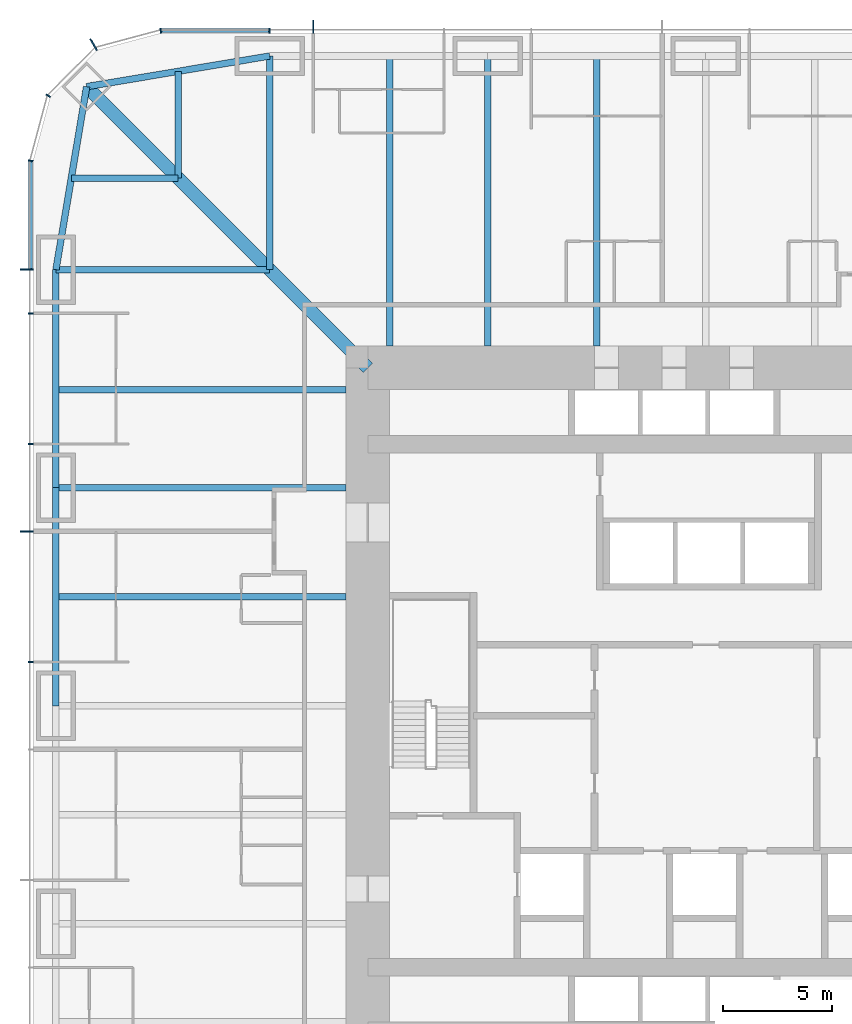
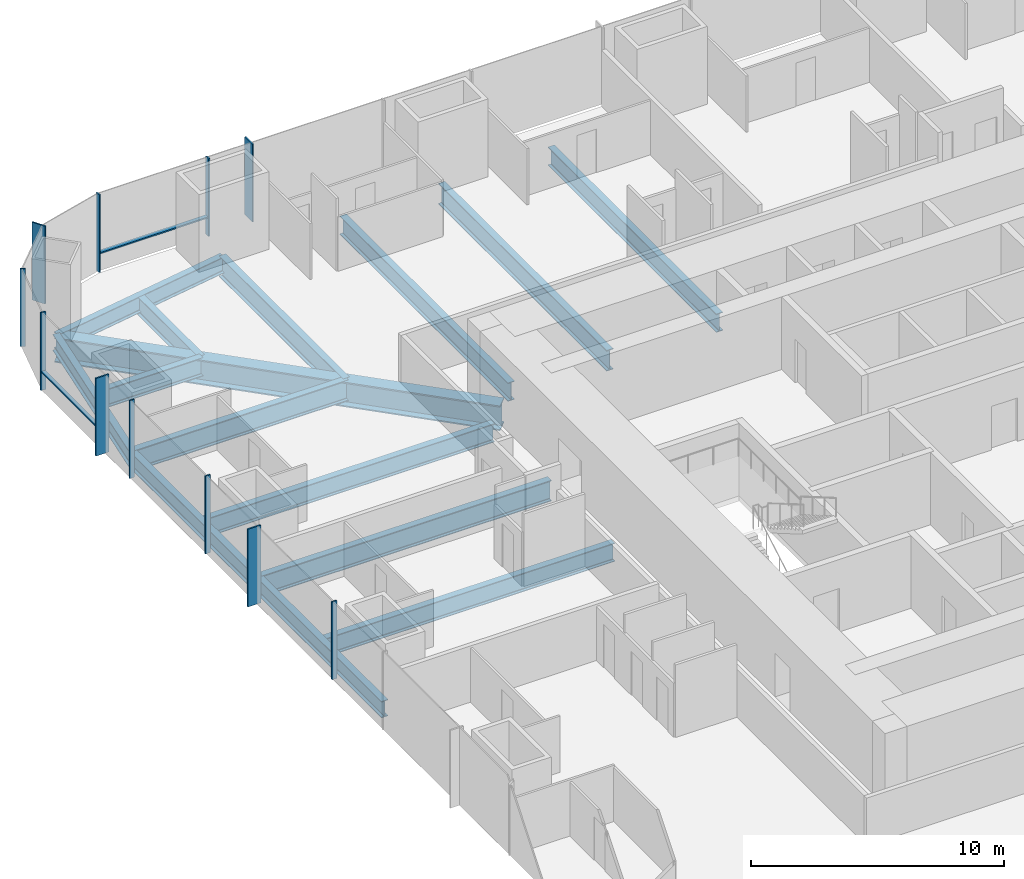
# One storey, part 6 of 17: 15 beams, 13 members, 3 elements without a shape of their own.
"""IFC4 building model written with IfcOpenShell, lengths in metres."""

from ifc_helpers import new_model, si_unit, direction, frame, origin, origin_2d, place, context, subcontext, project, spatial, rectangle, i_section, extrude, material, material_profile, profile_set, type_object, element, aggregate, save


model = new_model("IFC4")

# Units and contexts
model_context = context("Model", 3, precision=1e-05, world=origin(), true_north=direction((0.0, 1.0)))
body_context = subcontext(model_context, "Body", "Model", "MODEL_VIEW")
ifc_project = project(units=[si_unit("LENGTHUNIT", "METRE"), si_unit("AREAUNIT", "SQUARE_METRE"), si_unit("VOLUMEUNIT", "CUBIC_METRE"), si_unit("PLANEANGLEUNIT", "RADIAN"), si_unit("MASSUNIT", "GRAM", prefix="KILO")], contexts=[model_context])

# Site, building, storey
site_placement = place(None, origin())
site = spatial("IfcSite", under=ifc_project, at=site_placement, CompositionType="ELEMENT")
building_placement = place(site_placement, origin())
building = spatial("IfcBuilding", under=site, at=building_placement, Name="Khuree Lantern Residences", CompositionType="ELEMENT")
storey_placement = place(building_placement, frame((0.0, 0.0, 88.5)))
storey = spatial("IfcBuildingStorey", under=building, at=storey_placement, Name="L22", CompositionType="ELEMENT", Elevation=88.5)

# Beams
ifc_material_1 = material(Name="Steel S355", Category="steel")
ifc_material_profile_1 = material_profile(ifc_material_1, i_section(OverallWidth=0.300048828125, OverallDepth=0.889892578125, WebThickness=0.01611328125, FlangeThickness=0.030029296875, FilletRadius=0.030029296875, at=origin_2d()), Name="HE 900 A")
ifc_profile_set_1 = profile_set([ifc_material_profile_1], Name="Steel S355")
beam_type_1 = type_object("IfcBeamType", Name="B-15 SECONDARY BEAM HE 900 A", PredefinedType="BEAM", material=ifc_profile_set_1)
for number, where, z_axis, x_axis, name in (
    (1, (-14.5, 29.800048828125, -0.695068359375), (0.0, -1.0, 0.0), (1.0, 0.0, 0.0), "Secondary beam N1"),
    (2, (-5.0, 29.800048828125, -0.695068359375), (0.0, -1.0, 0.0), (1.0, 0.0, 0.0), "Secondary beam N2"),
    (3, (-29.800048828125, 5.0, -0.695068359375), (1.0, 0.0, 0.0), (0.0, 1.0, 0.0), "Secondary beam W4"),
    (4, (-29.800048828125, 14.5, -0.695068359375), (1.0, 0.0, 0.0), (0.0, 1.0, 0.0), "Secondary beam W5"),
):
    element("IfcBeam", number, at=place(storey_placement, frame(where, z_axis=z_axis, x_axis=x_axis)), inside=storey, type_object=beam_type_1, Name=name, PredefinedType="BEAM", context=body_context, shape_type="SweptSolid", body=[
        extrude(i_section(OverallWidth=0.300048828125, OverallDepth=0.889892578125, WebThickness=0.01611328125, FlangeThickness=0.030029296875, FilletRadius=0.030029296875, at=origin_2d()), origin(), (0.0, 0.0, 1.0), 13.300048828125),
    ])
for number, where, z_axis, x_axis, name in (
    (5, (-29.09716796875, 24.197021484375, -0.695068359375), (1.0, 0.0, 0.0), (0.0, 1.0, 0.0), "Secondary beam W6"),
    (6, (-24.197021484375, 29.09716796875, -0.695068359375), (0.0, -1.0, 0.0), (1.0, 0.0, 0.0), "Secondary beam N6"),
):
    element("IfcBeam", number, at=place(storey_placement, frame(where, z_axis=z_axis, x_axis=x_axis)), inside=storey, type_object=beam_type_1, Name=name, PredefinedType="BEAM", context=body_context, shape_type="SweptSolid", body=[
        extrude(i_section(OverallWidth=0.300048828125, OverallDepth=0.889892578125, WebThickness=0.01611328125, FlangeThickness=0.030029296875, FilletRadius=0.030029296875, at=origin_2d()), origin(), (0.0, 0.0, 1.0), 4.900146484375),
    ])
ifc_material_profile_2 = material_profile(ifc_material_1, i_section(OverallWidth=0.300048828125, OverallDepth=0.7900390625, WebThickness=0.014892578125, FlangeThickness=0.028076171875, FilletRadius=0.030029296875, at=origin_2d()), Name="HE 800 A")
ifc_profile_set_2 = profile_set([ifc_material_profile_2], Name="Steel S355")
beam_type_2 = type_object("IfcBeamType", Name="E-15 SPANDREL BEAM HE 800 A", PredefinedType="SPANDREL", material=ifc_profile_set_2)
for number, where, z_axis, x_axis, name in (
    (7, (-29.800048828125, 0.0, -0.64501953125), (0.0, 1.0, 0.0), (-1.0, 0.0, 0.0), "Spandrel beam W4"),
    (8, (-29.800048828125, 10.0, -0.64501953125), (0.0, 1.0, 0.0), (-1.0, 0.0, 0.0), "Spandrel beam W5"),
):
    element("IfcBeam", number, at=place(storey_placement, frame(where, z_axis=z_axis, x_axis=x_axis)), inside=storey, type_object=beam_type_2, Name=name, PredefinedType="SPANDREL", context=body_context, shape_type="SweptSolid", body=[
        extrude(i_section(OverallWidth=0.300048828125, OverallDepth=0.7900390625, WebThickness=0.014892578125, FlangeThickness=0.028076171875, FilletRadius=0.030029296875, at=origin_2d()), origin(), (0.0, 0.0, 1.0), 10.0),
    ])
for number, where, z_axis, x_axis, name in (
    (9, (-29.800048828125, 20.0, -0.64501953125), (0.165199022349, 0.986260251158, 0.0), (-0.986260251158, 0.165199022349, 0.0), "Spandrel beam W6"),
    (10, (-28.39404296875, 28.39404296875, -0.64501953125), (0.986260251158, 0.165199022349, 0.0), (-0.165199022349, 0.986260251158, 0.0), "Spandrel beam N6"),
):
    element("IfcBeam", number, at=place(storey_placement, frame(where, z_axis=z_axis, x_axis=x_axis)), inside=storey, type_object=beam_type_2, Name=name, PredefinedType="SPANDREL", context=body_context, shape_type="SweptSolid", body=[
        extrude(i_section(OverallWidth=0.300048828125, OverallDepth=0.7900390625, WebThickness=0.014892578125, FlangeThickness=0.028076171875, FilletRadius=0.030029296875, at=origin_2d()), origin(), (0.0, 0.0, 1.0), 8.510986328125),
    ])

# Curtain wall, member
ifc_material_2 = material(Name="Bronze anodised aluminium", Category="aluminium")
curtain_wall_type_1 = type_object("IfcCurtainWallType", Name="CW-T1 TOWER FACE CURTAIN WALL", PredefinedType="USERDEFINED", material=ifc_material_2)
curtain_wall_1_placement = place(storey_placement, origin())
curtain_wall_1 = element("IfcCurtainWall", 11, at=curtain_wall_1_placement, inside=storey, type_object=curtain_wall_type_1, Name="L22 NORTH FACE CURTAIN WALL", ObjectType="Stick-built curtain wall", PredefinedType="USERDEFINED")
ifc_material_profile_3 = material_profile(ifc_material_2, rectangle(XDim=0.06494140625, YDim=0.60009765625, at=origin_2d()), Name="F1 65X600")
ifc_profile_set_3 = profile_set([ifc_material_profile_3], Name="Bronze anodised aluminium")
member_type_1 = type_object("IfcMemberType", Name="F1 BRONZE FIN MULLION TOWER 65X600", PredefinedType="MULLION", material=ifc_profile_set_3)
member_1_placement = place(storey_placement, frame((-18.0, 31.14990234375, 0.0), z_axis=(0.0, 0.0, 1.0), x_axis=(-1.0, 0.0, 0.0)))
member_1 = element("IfcMember", 12, at=member_1_placement, type_object=member_type_1, Name="L22 NORTH FACE FIN MULLION 27", PredefinedType="MULLION", context=body_context, shape_type="SweptSolid", body=[
    extrude(rectangle(XDim=0.06494140625, YDim=0.60009765625, at=origin_2d()), origin(), (0.0, 0.0, 1.0), 3.75),
])

curtain_wall_type_2 = type_object("IfcCurtainWallType", Name="CW-T2 TOWER CORNER CURTAIN WALL", PredefinedType="USERDEFINED", material=ifc_material_2)
curtain_wall_2_placement = place(storey_placement, origin())
curtain_wall_2 = element("IfcCurtainWall", 13, at=curtain_wall_2_placement, inside=storey, type_object=curtain_wall_type_2, Name="L22 NORTH-WEST CORNER CURTAIN WALL", ObjectType="Faceted corner curtain wall", PredefinedType="USERDEFINED")
member_2_placement = place(storey_placement, frame((-28.074951171875, 30.326171875, 0.0), z_axis=(0.0, 0.0, 1.0), x_axis=(-0.86602537092, -0.500000056923, 0.0)))
member_2 = element("IfcMember", 14, at=member_2_placement, type_object=member_type_1, Name="L22 NORTH-WEST CORNER FIN MULLION 30", PredefinedType="MULLION", context=body_context, shape_type="SweptSolid", body=[
    extrude(rectangle(XDim=0.06494140625, YDim=0.60009765625, at=origin_2d()), origin(), (0.0, 0.0, 1.0), 3.75),
])

# Curtain wall, members
curtain_wall_3_placement = place(storey_placement, origin())
curtain_wall_3 = element("IfcCurtainWall", 15, at=curtain_wall_3_placement, inside=storey, type_object=curtain_wall_type_1, Name="L22 WEST FACE CURTAIN WALL", ObjectType="Stick-built curtain wall", PredefinedType="USERDEFINED")
member_3_placement = place(storey_placement, frame((-31.14990234375, 20.0, 0.0), z_axis=(0.0, 0.0, 1.0), x_axis=(0.0, -1.0, 0.0)))
member_3 = element("IfcMember", 16, at=member_3_placement, type_object=member_type_1, Name="L22 WEST FACE FIN MULLION 33", PredefinedType="MULLION", context=body_context, shape_type="SweptSolid", body=[
    extrude(rectangle(XDim=0.06494140625, YDim=0.60009765625, at=origin_2d()), origin(), (0.0, 0.0, 1.0), 3.75),
])
member_4_placement = place(storey_placement, frame((-31.14990234375, 8.0, 0.0), z_axis=(0.0, 0.0, 1.0), x_axis=(0.0, -1.0, 0.0)))
member_4 = element("IfcMember", 17, at=member_4_placement, type_object=member_type_1, Name="L22 WEST FACE FIN MULLION 36", PredefinedType="MULLION", context=body_context, shape_type="SweptSolid", body=[
    extrude(rectangle(XDim=0.06494140625, YDim=0.60009765625, at=origin_2d()), origin(), (0.0, 0.0, 1.0), 3.75),
])

# Beams
ifc_material_profile_4 = material_profile(ifc_material_1, i_section(OverallWidth=0.302001953125, OverallDepth=1.008056640625, WebThickness=0.02099609375, FlangeThickness=0.0400390625, FilletRadius=0.030029296875, at=origin_2d()), Name="HE 1000 M")
ifc_profile_set_4 = profile_set([ifc_material_profile_4], Name="Steel S355")
beam_type_3 = type_object("IfcBeamType", Name="G-15 GIRDER HE 1000 M", PredefinedType="BEAM", material=ifc_profile_set_4)
beam_1_placement = place(storey_placement, frame((-20.0, 29.800048828125, -0.75390625), z_axis=(0.0, -1.0, 0.0), x_axis=(1.0, 0.0, 0.0)))
element("IfcBeam", 18, at=beam_1_placement, inside=storey, type_object=beam_type_3, Name="Girder N1", PredefinedType="BEAM", context=body_context, shape_type="SweptSolid", body=[
    extrude(i_section(OverallWidth=0.302001953125, OverallDepth=1.008056640625, WebThickness=0.02099609375, FlangeThickness=0.0400390625, FilletRadius=0.030029296875, at=origin_2d()), origin(), (0.0, 0.0, 1.0), 9.800048828125),
])
for number, where, z_axis, x_axis, name in (
    (19, (-10.0, 29.800048828125, -0.75390625), (0.0, -1.0, 0.0), (1.0, 0.0, 0.0), "Girder N2"),
    (20, (-29.800048828125, 10.0, -0.75390625), (1.0, 0.0, 0.0), (0.0, 1.0, 0.0), "Girder W4"),
):
    element("IfcBeam", number, at=place(storey_placement, frame(where, z_axis=z_axis, x_axis=x_axis)), inside=storey, type_object=beam_type_3, Name=name, PredefinedType="BEAM", context=body_context, shape_type="SweptSolid", body=[
        extrude(i_section(OverallWidth=0.302001953125, OverallDepth=1.008056640625, WebThickness=0.02099609375, FlangeThickness=0.0400390625, FilletRadius=0.030029296875, at=origin_2d()), origin(), (0.0, 0.0, 1.0), 13.300048828125),
    ])
beam_2_placement = place(storey_placement, frame((-29.800048828125, 20.0, -0.75390625), z_axis=(1.0, 0.0, 0.0), x_axis=(0.0, 1.0, 0.0)))
element("IfcBeam", 21, at=beam_2_placement, inside=storey, type_object=beam_type_3, Name="Girder W5", PredefinedType="BEAM", context=body_context, shape_type="SweptSolid", body=[
    extrude(i_section(OverallWidth=0.302001953125, OverallDepth=1.008056640625, WebThickness=0.02099609375, FlangeThickness=0.0400390625, FilletRadius=0.030029296875, at=origin_2d()), origin(), (0.0, 0.0, 1.0), 9.800048828125),
])
ifc_material_profile_5 = material_profile(ifc_material_1, i_section(OverallWidth=0.60009765625, OverallDepth=1.199951171875, WebThickness=0.030029296875, FlangeThickness=0.06005859375, at=origin_2d()), Name="WELDED I 1200X600X30X60")
ifc_profile_set_5 = profile_set([ifc_material_profile_5], Name="Steel S355")
beam_type_4 = type_object("IfcBeamType", Name="GD-15 CORNER GIRDER WELDED I 1200X600X30X60", PredefinedType="BEAM", material=ifc_profile_set_5)
beam_3_placement = place(storey_placement, frame((-28.39404296875, 28.39404296875, -0.85009765625), z_axis=(0.707106781187, -0.707106781187, 0.0), x_axis=(0.707106781187, 0.707106781187, 0.0)))
element("IfcBeam", 22, at=beam_3_placement, inside=storey, type_object=beam_type_4, Name="Corner girder NW", PredefinedType="BEAM", context=body_context, shape_type="SweptSolid", body=[
    extrude(i_section(OverallWidth=0.60009765625, OverallDepth=1.199951171875, WebThickness=0.030029296875, FlangeThickness=0.06005859375, at=origin_2d()), origin(), (0.0, 0.0, 1.0), 18.23486328125),
])

# Member
ifc_material_profile_6 = material_profile(ifc_material_2, rectangle(XDim=0.06494140625, YDim=0.219970703125, at=origin_2d()), Name="M1 65X220")
ifc_profile_set_6 = profile_set([ifc_material_profile_6], Name="Bronze anodised aluminium")
member_type_2 = type_object("IfcMemberType", Name="M1 BRONZE MULLION TOWER 65X220", PredefinedType="MULLION", material=ifc_profile_set_6)
member_5_placement = place(storey_placement, frame((-20.0, 30.9599609375, 0.0), z_axis=(0.0, 0.0, 1.0), x_axis=(-1.0, 0.0, 0.0)))
member_5 = element("IfcMember", 23, at=member_5_placement, type_object=member_type_2, Name="L22 NORTH FACE MULLION 28", PredefinedType="MULLION", context=body_context, shape_type="SweptSolid", body=[
    extrude(rectangle(XDim=0.06494140625, YDim=0.219970703125, at=origin_2d()), origin(), (0.0, 0.0, 1.0), 3.75),
])

member_6_placement = place(storey_placement, frame((-24.994873046875, 30.961669921875, 0.0), z_axis=(0.0, 0.0, 1.0), x_axis=(-0.991444852794, -0.130526257387, 0.0)))
member_6 = element("IfcMember", 24, at=member_6_placement, type_object=member_type_2, Name="L22 NORTH-WEST CORNER MULLION 29", PredefinedType="MULLION", context=body_context, shape_type="SweptSolid", body=[
    extrude(rectangle(XDim=0.06494140625, YDim=0.219970703125, at=origin_2d()), origin(), (0.0, 0.0, 1.0), 3.75),
])

member_7_placement = place(storey_placement, frame((-30.16162109375, 27.97998046875, 0.0), z_axis=(0.0, 0.0, 1.0), x_axis=(-0.500000056923, -0.86602537092, 0.0)))
member_7 = element("IfcMember", 25, at=member_7_placement, type_object=member_type_2, Name="L22 NORTH-WEST CORNER MULLION 31", PredefinedType="MULLION", context=body_context, shape_type="SweptSolid", body=[
    extrude(rectangle(XDim=0.06494140625, YDim=0.219970703125, at=origin_2d()), origin(), (0.0, 0.0, 1.0), 3.75),
])

aggregate(curtain_wall_2, [member_6, member_2, member_7])

member_8_placement = place(storey_placement, frame((-30.961669921875, 24.994873046875, 0.0), z_axis=(0.0, 0.0, 1.0), x_axis=(-0.130526257387, -0.991444852794, 0.0)))
member_8 = element("IfcMember", 26, at=member_8_placement, type_object=member_type_2, Name="L22 WEST FACE MULLION 32", PredefinedType="MULLION", context=body_context, shape_type="SweptSolid", body=[
    extrude(rectangle(XDim=0.06494140625, YDim=0.219970703125, at=origin_2d()), origin(), (0.0, 0.0, 1.0), 3.75),
])

member_9_placement = place(storey_placement, frame((-30.9599609375, 18.0, 0.0), z_axis=(0.0, 0.0, 1.0), x_axis=(0.0, -1.0, 0.0)))
member_9 = element("IfcMember", 27, at=member_9_placement, type_object=member_type_2, Name="L22 WEST FACE MULLION 34", PredefinedType="MULLION", context=body_context, shape_type="SweptSolid", body=[
    extrude(rectangle(XDim=0.06494140625, YDim=0.219970703125, at=origin_2d()), origin(), (0.0, 0.0, 1.0), 3.75),
])

member_10_placement = place(storey_placement, frame((-30.9599609375, 12.0, 0.0), z_axis=(0.0, 0.0, 1.0), x_axis=(0.0, -1.0, 0.0)))
member_10 = element("IfcMember", 28, at=member_10_placement, type_object=member_type_2, Name="L22 WEST FACE MULLION 35", PredefinedType="MULLION", context=body_context, shape_type="SweptSolid", body=[
    extrude(rectangle(XDim=0.06494140625, YDim=0.219970703125, at=origin_2d()), origin(), (0.0, 0.0, 1.0), 3.75),
])

member_11_placement = place(storey_placement, frame((-30.9599609375, 2.0, 0.0), z_axis=(0.0, 0.0, 1.0), x_axis=(0.0, -1.0, 0.0)))
member_11 = element("IfcMember", 29, at=member_11_placement, type_object=member_type_2, Name="L22 WEST FACE MULLION 37", PredefinedType="MULLION", context=body_context, shape_type="SweptSolid", body=[
    extrude(rectangle(XDim=0.06494140625, YDim=0.219970703125, at=origin_2d()), origin(), (0.0, 0.0, 1.0), 3.75),
])

ifc_material_profile_7 = material_profile(ifc_material_2, rectangle(XDim=0.179931640625, YDim=0.06494140625, at=origin_2d()), Name="T1 180X65")
ifc_profile_set_7 = profile_set([ifc_material_profile_7], Name="Bronze anodised aluminium")
member_type_3 = type_object("IfcMemberType", Name="TRANSOM T1 TOWER 180X65", PredefinedType="USERDEFINED", material=ifc_profile_set_7)
member_12_placement = place(storey_placement, frame((-20.032470703125, 30.969970703125, 0.89990234375), z_axis=(-1.0, 0.0, 0.0), x_axis=(0.0, -1.0, 0.0)))
member_12 = element("IfcMember", 30, at=member_12_placement, type_object=member_type_3, Name="L22 NORTH FACE TRANSOM 28.1", ObjectType="Transom", PredefinedType="USERDEFINED", context=body_context, shape_type="SweptSolid", body=[
    extrude(rectangle(XDim=0.179931640625, YDim=0.06494140625, at=origin_2d()), origin(), (0.0, 0.0, 1.0), 4.9189453125),
])

aggregate(curtain_wall_1, [member_1, member_5, member_12])

member_13_placement = place(storey_placement, frame((-30.969970703125, 24.951416015625, 0.89990234375), z_axis=(0.0, -1.0, 0.0), x_axis=(1.0, 0.0, 0.0)))
member_13 = element("IfcMember", 31, at=member_13_placement, type_object=member_type_3, Name="L22 WEST FACE TRANSOM 32.1", ObjectType="Transom", PredefinedType="USERDEFINED", context=body_context, shape_type="SweptSolid", body=[
    extrude(rectangle(XDim=0.179931640625, YDim=0.06494140625, at=origin_2d()), origin(), (0.0, 0.0, 1.0), 4.9189453125),
])

aggregate(curtain_wall_3, [member_8, member_3, member_9, member_10, member_4, member_11, member_13])

save(model, "model.ifc")
